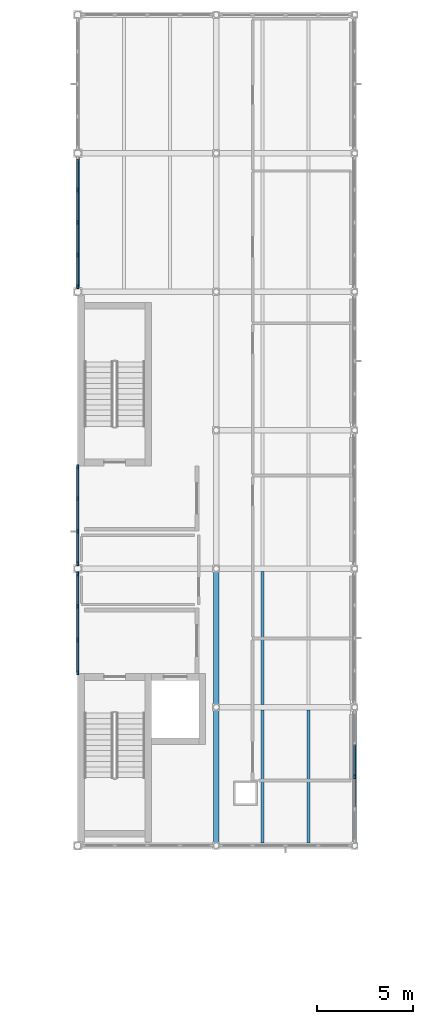
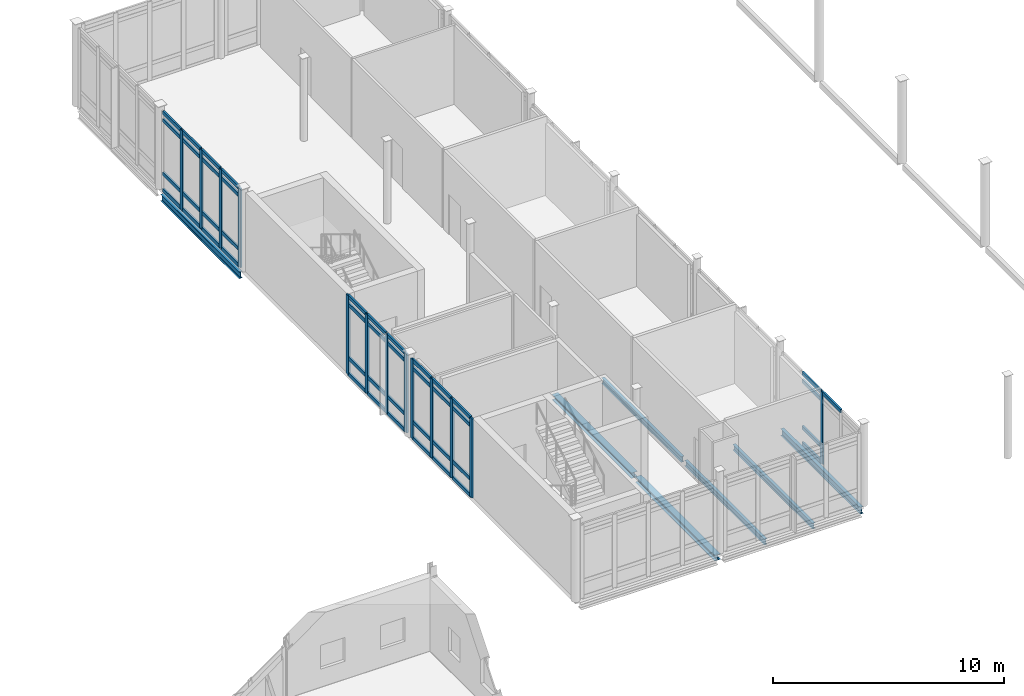
# One storey, part 23 of 76: 58 members, 7 beams, 4 elements without a shape of their own.
"""IFC4 building model written with IfcOpenShell, lengths in metres."""

from ifc_helpers import new_model, si_unit, direction, frame, origin, origin_2d, place, context, subcontext, project, spatial, rectangle, i_section, extrude, material, layer, layer_set, material_profile, profile_set, type_object, element, aggregate, save


model = new_model("IFC4")

# Units and contexts
model_context = context("Model", 3, precision=1e-05, world=origin(), true_north=direction((0.0, 1.0)))
body_context = subcontext(model_context, "Body", "Model", "MODEL_VIEW")
ifc_project = project(units=[si_unit("LENGTHUNIT", "METRE"), si_unit("AREAUNIT", "SQUARE_METRE"), si_unit("VOLUMEUNIT", "CUBIC_METRE"), si_unit("PLANEANGLEUNIT", "RADIAN"), si_unit("MASSUNIT", "GRAM", prefix="KILO")], contexts=[model_context])

# Site, building, storey
site_placement = place(None, origin())
site = spatial("IfcSite", under=ifc_project, at=site_placement, CompositionType="ELEMENT")
building_placement = place(site_placement, origin())
building = spatial("IfcBuilding", under=site, at=building_placement, Name="Zarrinpeak Specialist Clinic", CompositionType="ELEMENT")
storey_placement = place(building_placement, frame((0.0, 0.0, 5.199951171875)))
storey = spatial("IfcBuildingStorey", under=building, at=storey_placement, Name="L01", CompositionType="ELEMENT", Elevation=5.199951171875)

# Beams
ifc_material_1 = material(Name="Steel S355", Category="steel")
ifc_material_profile_1 = material_profile(ifc_material_1, i_section(OverallWidth=0.300048828125, OverallDepth=0.2900390625, WebThickness=0.008544921875, FlangeThickness=0.013916015625, FilletRadius=0.027099609375, at=origin_2d()), Name="HEA 300")
ifc_profile_set_1 = profile_set([ifc_material_profile_1], Name="Steel S355")
beam_type_1 = type_object("IfcBeamType", Name="BM-HEA300", PredefinedType="BEAM", material=ifc_profile_set_1)
for number, where, z_axis, x_axis, name in (
    (1, (100.800048828125, 28.9599609375, -0.375), (0.0, 1.0, 0.0), (-1.0, 0.0, 0.0), "L01 Primary Beam BM-L01-Y0933"),
    (2, (100.800048828125, 36.159912109375, -0.375), (0.0, 1.0, 0.0), (-1.0, 0.0, 0.0), "L01 Primary Beam BM-L01-Y0934"),
):
    element("IfcBeam", number, at=place(storey_placement, frame(where, z_axis=z_axis, x_axis=x_axis)), inside=storey, type_object=beam_type_1, Name=name, PredefinedType="BEAM", context=body_context, shape_type="SweptSolid", body=[
        extrude(i_section(OverallWidth=0.300048828125, OverallDepth=0.2900390625, WebThickness=0.008544921875, FlangeThickness=0.013916015625, FilletRadius=0.027099609375, at=origin_2d()), origin(), (0.0, 0.0, 1.0), 6.880126953125),
    ])
ifc_material_profile_2 = material_profile(ifc_material_1, i_section(OverallWidth=0.14990234375, OverallDepth=0.300048828125, WebThickness=0.007080078125, FlangeThickness=0.0107421875, FilletRadius=0.014892578125, at=origin_2d()), Name="IPE 300")
ifc_profile_set_2 = profile_set([ifc_material_profile_2], Name="Steel S355")
beam_type_2 = type_object("IfcBeamType", Name="BM-JST300", PredefinedType="JOIST", material=ifc_profile_set_2)
for number, where, z_axis, x_axis, name in (
    (3, (103.199951171875, 28.947998046875, -0.3798828125), (0.0, 1.0, 0.0), (-1.0, 0.0, 0.0), "L01 Composite Floor Joist JST-L01-1033"),
    (4, (105.60009765625, 28.947998046875, -0.3798828125), (0.0, 1.0, 0.0), (-1.0, 0.0, 0.0), "L01 Composite Floor Joist JST-L01-1034"),
    (5, (103.199951171875, 36.14794921875, -0.3798828125), (0.0, 1.0, 0.0), (-1.0, 0.0, 0.0), "L01 Composite Floor Joist JST-L01-1035"),
):
    element("IfcBeam", number, at=place(storey_placement, frame(where, z_axis=z_axis, x_axis=x_axis)), inside=storey, type_object=beam_type_2, Name=name, PredefinedType="JOIST", context=body_context, shape_type="SweptSolid", body=[
        extrude(i_section(OverallWidth=0.14990234375, OverallDepth=0.300048828125, WebThickness=0.007080078125, FlangeThickness=0.0107421875, FilletRadius=0.014892578125, at=origin_2d()), origin(), (0.0, 0.0, 1.0), 6.904052734375),
    ])
ifc_material_profile_3 = material_profile(ifc_material_1, i_section(OverallWidth=0.169921875, OverallDepth=0.360107421875, WebThickness=0.008056640625, FlangeThickness=0.0126953125, FilletRadius=0.01806640625, at=origin_2d()), Name="IPE 360")
ifc_profile_set_3 = profile_set([ifc_material_profile_3], Name="Steel S355")
beam_type_3 = type_object("IfcBeamType", Name="BM-SP360", PredefinedType="SPANDREL", material=ifc_profile_set_3)
beam_1_placement = place(storey_placement, frame((93.60009765625, 57.80126953125, -0.409912109375), z_axis=(0.0, 1.0, 0.0), x_axis=(-1.0, 0.0, 0.0)))
element("IfcBeam", 6, at=beam_1_placement, inside=storey, type_object=beam_type_3, Name="L01 Perimeter Spandrel Beam BM-L01-Y0931", PredefinedType="SPANDREL", context=body_context, shape_type="SweptSolid", body=[
    extrude(i_section(OverallWidth=0.169921875, OverallDepth=0.360107421875, WebThickness=0.008056640625, FlangeThickness=0.0126953125, FilletRadius=0.01806640625, at=origin_2d()), origin(), (0.0, 0.0, 1.0), 6.797607421875),
])
beam_2_placement = place(storey_placement, frame((108.0, 28.9599609375, -0.409912109375), z_axis=(0.0, 1.0, 0.0), x_axis=(-1.0, 0.0, 0.0)))
element("IfcBeam", 7, at=beam_2_placement, inside=storey, type_object=beam_type_3, Name="L01 Perimeter Spandrel Beam BM-L01-Y0939", PredefinedType="SPANDREL", context=body_context, shape_type="SweptSolid", body=[
    extrude(i_section(OverallWidth=0.169921875, OverallDepth=0.360107421875, WebThickness=0.008056640625, FlangeThickness=0.0126953125, FilletRadius=0.01806640625, at=origin_2d()), origin(), (0.0, 0.0, 1.0), 6.880126953125),
])

# Curtain wall, members
ifc_material_2 = material(Name="Anodised Aluminium Alloy 6063-T6", Category="aluminium")
ifc_layer = layer(ifc_material_2, 0.199951171875)
ifc_layer_set = layer_set([ifc_layer], Name="Anodised Aluminium Alloy 6063-T6")
curtain_wall_type = type_object("IfcCurtainWallType", Name="CW-HALL", PredefinedType="NOTDEFINED", material=ifc_layer_set)
curtain_wall_1_placement = place(storey_placement, origin())
curtain_wall_1 = element("IfcCurtainWall", 8, at=curtain_wall_1_placement, inside=storey, type_object=curtain_wall_type, Name="L01 V3 Unitised Curtain Wall CW-L01-V3-101", PredefinedType="NOTDEFINED")
ifc_material_profile_4 = material_profile(ifc_material_2, rectangle(XDim=0.090087890625, YDim=0.219970703125, at=origin_2d()), Name="ALU 90x220")
ifc_profile_set_4 = profile_set([ifc_material_profile_4], Name="Anodised Aluminium Alloy 6063-T6")
member_type_1 = type_object("IfcMemberType", Name="CWM-90", PredefinedType="MULLION", material=ifc_profile_set_4)
member_1_placement = place(storey_placement, frame((93.60009765625, 42.9267578125, 0.0), z_axis=(0.0, 0.0, 1.0), x_axis=(1.0, 0.0, 0.0)))
member_1 = element("IfcMember", 9, at=member_1_placement, type_object=member_type_1, Name="CW-02 mullion 1", PredefinedType="MULLION", context=body_context, shape_type="SweptSolid", body=[
    extrude(rectangle(XDim=0.090087890625, YDim=0.219970703125, at=origin_2d()), origin(), (0.0, 0.0, 1.0), 4.18505859375),
])
member_2_placement = place(storey_placement, frame((93.60009765625, 41.231201171875, 0.0), z_axis=(0.0, 0.0, 1.0), x_axis=(1.0, 0.0, 0.0)))
member_2 = element("IfcMember", 10, at=member_2_placement, type_object=member_type_1, Name="CW-02 mullion 2", PredefinedType="MULLION", context=body_context, shape_type="SweptSolid", body=[
    extrude(rectangle(XDim=0.090087890625, YDim=0.219970703125, at=origin_2d()), origin(), (0.0, 0.0, 1.0), 4.18505859375),
])
member_3_placement = place(storey_placement, frame((93.60009765625, 39.490478515625, 0.0), z_axis=(0.0, 0.0, 1.0), x_axis=(1.0, 0.0, 0.0)))
member_3 = element("IfcMember", 11, at=member_3_placement, type_object=member_type_1, Name="CW-02 mullion 3", PredefinedType="MULLION", context=body_context, shape_type="SweptSolid", body=[
    extrude(rectangle(XDim=0.090087890625, YDim=0.219970703125, at=origin_2d()), origin(), (0.0, 0.0, 1.0), 4.18505859375),
])
member_4_placement = place(storey_placement, frame((93.60009765625, 37.794921875, 0.0), z_axis=(0.0, 0.0, 1.0), x_axis=(1.0, 0.0, 0.0)))
member_4 = element("IfcMember", 12, at=member_4_placement, type_object=member_type_1, Name="CW-02 mullion 4", PredefinedType="MULLION", context=body_context, shape_type="SweptSolid", body=[
    extrude(rectangle(XDim=0.090087890625, YDim=0.219970703125, at=origin_2d()), origin(), (0.0, 0.0, 1.0), 4.18505859375),
])

curtain_wall_2_placement = place(storey_placement, origin())
curtain_wall_2 = element("IfcCurtainWall", 13, at=curtain_wall_2_placement, inside=storey, type_object=curtain_wall_type, Name="L01 V3 Unitised Curtain Wall CW-L01-V3-102", PredefinedType="NOTDEFINED")
member_5_placement = place(storey_placement, frame((93.60009765625, 48.5048828125, 0.0), z_axis=(0.0, 0.0, 1.0), x_axis=(1.0, 0.0, 0.0)))
member_5 = element("IfcMember", 14, at=member_5_placement, type_object=member_type_1, Name="CW-02 mullion 1", PredefinedType="MULLION", context=body_context, shape_type="SweptSolid", body=[
    extrude(rectangle(XDim=0.090087890625, YDim=0.219970703125, at=origin_2d()), origin(), (0.0, 0.0, 1.0), 4.18505859375),
])
member_6_placement = place(storey_placement, frame((93.60009765625, 46.8427734375, 0.0), z_axis=(0.0, 0.0, 1.0), x_axis=(1.0, 0.0, 0.0)))
member_6 = element("IfcMember", 15, at=member_6_placement, type_object=member_type_1, Name="CW-02 mullion 2", PredefinedType="MULLION", context=body_context, shape_type="SweptSolid", body=[
    extrude(rectangle(XDim=0.090087890625, YDim=0.219970703125, at=origin_2d()), origin(), (0.0, 0.0, 1.0), 4.18505859375),
])
member_7_placement = place(storey_placement, frame((93.60009765625, 45.135498046875, 0.0), z_axis=(0.0, 0.0, 1.0), x_axis=(1.0, 0.0, 0.0)))
member_7 = element("IfcMember", 16, at=member_7_placement, type_object=member_type_1, Name="CW-02 mullion 3", PredefinedType="MULLION", context=body_context, shape_type="SweptSolid", body=[
    extrude(rectangle(XDim=0.090087890625, YDim=0.219970703125, at=origin_2d()), origin(), (0.0, 0.0, 1.0), 4.18505859375),
])
member_8_placement = place(storey_placement, frame((93.60009765625, 43.47314453125, 0.0), z_axis=(0.0, 0.0, 1.0), x_axis=(1.0, 0.0, 0.0)))
member_8 = element("IfcMember", 17, at=member_8_placement, type_object=member_type_1, Name="CW-02 mullion 4", PredefinedType="MULLION", context=body_context, shape_type="SweptSolid", body=[
    extrude(rectangle(XDim=0.090087890625, YDim=0.219970703125, at=origin_2d()), origin(), (0.0, 0.0, 1.0), 4.18505859375),
])

curtain_wall_3_placement = place(storey_placement, origin())
curtain_wall_3 = element("IfcCurtainWall", 18, at=curtain_wall_3_placement, inside=storey, type_object=curtain_wall_type, Name="L01 V3 Unitised Curtain Wall CW-L01-V3-103", PredefinedType="NOTDEFINED")
member_9_placement = place(storey_placement, frame((93.60009765625, 62.885986328125, 0.0), z_axis=(0.0, 0.0, 1.0), x_axis=(1.0, 0.0, 0.0)))
member_9 = element("IfcMember", 19, at=member_9_placement, type_object=member_type_1, Name="CW-02 mullion 2", PredefinedType="MULLION", context=body_context, shape_type="SweptSolid", body=[
    extrude(rectangle(XDim=0.090087890625, YDim=0.219970703125, at=origin_2d()), origin(), (0.0, 0.0, 1.0), 4.18505859375),
])
member_10_placement = place(storey_placement, frame((93.60009765625, 61.199951171875, 0.0), z_axis=(0.0, 0.0, 1.0), x_axis=(1.0, 0.0, 0.0)))
member_10 = element("IfcMember", 20, at=member_10_placement, type_object=member_type_1, Name="CW-02 mullion 3", PredefinedType="MULLION", context=body_context, shape_type="SweptSolid", body=[
    extrude(rectangle(XDim=0.090087890625, YDim=0.219970703125, at=origin_2d()), origin(), (0.0, 0.0, 1.0), 4.18505859375),
])
member_11_placement = place(storey_placement, frame((93.60009765625, 59.51416015625, 0.0), z_axis=(0.0, 0.0, 1.0), x_axis=(1.0, 0.0, 0.0)))
member_11 = element("IfcMember", 21, at=member_11_placement, type_object=member_type_1, Name="CW-02 mullion 4", PredefinedType="MULLION", context=body_context, shape_type="SweptSolid", body=[
    extrude(rectangle(XDim=0.090087890625, YDim=0.219970703125, at=origin_2d()), origin(), (0.0, 0.0, 1.0), 4.18505859375),
])
member_12_placement = place(storey_placement, frame((93.60009765625, 57.873291015625, 0.0), z_axis=(0.0, 0.0, 1.0), x_axis=(1.0, 0.0, 0.0)))
member_12 = element("IfcMember", 22, at=member_12_placement, type_object=member_type_1, Name="CW-02 mullion 5", PredefinedType="MULLION", context=body_context, shape_type="SweptSolid", body=[
    extrude(rectangle(XDim=0.090087890625, YDim=0.219970703125, at=origin_2d()), origin(), (0.0, 0.0, 1.0), 4.18505859375),
])

# Curtain wall, member
curtain_wall_4_placement = place(storey_placement, origin())
curtain_wall_4 = element("IfcCurtainWall", 23, at=curtain_wall_4_placement, inside=storey, type_object=curtain_wall_type, Name="L01 V3 Unitised Curtain Wall CW-L01-V3-105", PredefinedType="NOTDEFINED")
member_13_placement = place(storey_placement, frame((108.0, 32.39990234375, 0.0), z_axis=(0.0, 0.0, 1.0), x_axis=(-1.0, 0.0, 0.0)))
member_13 = element("IfcMember", 24, at=member_13_placement, type_object=member_type_1, Name="CW-02 mullion 3", PredefinedType="MULLION", context=body_context, shape_type="SweptSolid", body=[
    extrude(rectangle(XDim=0.090087890625, YDim=0.219970703125, at=origin_2d()), origin(), (0.0, 0.0, 1.0), 3.81005859375),
])

# Member
ifc_material_profile_5 = material_profile(ifc_material_2, rectangle(XDim=0.090087890625, YDim=0.18994140625, at=origin_2d()), Name="ALU 90x190")
ifc_profile_set_5 = profile_set([ifc_material_profile_5], Name="Anodised Aluminium Alloy 6063-T6")
member_type_2 = type_object("IfcMemberType", Name="CWT-90", PredefinedType="USERDEFINED", material=ifc_profile_set_5)
member_14_placement = place(storey_placement, frame((93.60009765625, 42.8818359375, 0.045166015625), z_axis=(0.0, -1.0, 0.0), x_axis=(1.0, 0.0, 0.0)))
member_14 = element("IfcMember", 25, at=member_14_placement, type_object=member_type_2, Name="CW-02 transom 1.1", ObjectType="TRANSOM", PredefinedType="USERDEFINED", context=body_context, shape_type="SweptSolid", body=[
    extrude(rectangle(XDim=0.090087890625, YDim=0.18994140625, at=origin_2d()), origin(), (0.0, 0.0, 1.0), 1.605712890625),
])

member_15_placement = place(storey_placement, frame((93.60009765625, 42.8818359375, 0.900146484375), z_axis=(0.0, -1.0, 0.0), x_axis=(1.0, 0.0, 0.0)))
member_15 = element("IfcMember", 26, at=member_15_placement, type_object=member_type_2, Name="CW-02 transom 1.2", ObjectType="TRANSOM", PredefinedType="USERDEFINED", context=body_context, shape_type="SweptSolid", body=[
    extrude(rectangle(XDim=0.090087890625, YDim=0.18994140625, at=origin_2d()), origin(), (0.0, 0.0, 1.0), 1.605712890625),
])

member_16_placement = place(storey_placement, frame((93.60009765625, 42.8818359375, 3.735107421875), z_axis=(0.0, -1.0, 0.0), x_axis=(1.0, 0.0, 0.0)))
member_16 = element("IfcMember", 27, at=member_16_placement, type_object=member_type_2, Name="CW-02 transom 1.3", ObjectType="TRANSOM", PredefinedType="USERDEFINED", context=body_context, shape_type="SweptSolid", body=[
    extrude(rectangle(XDim=0.090087890625, YDim=0.18994140625, at=origin_2d()), origin(), (0.0, 0.0, 1.0), 1.605712890625),
])

member_17_placement = place(storey_placement, frame((93.60009765625, 42.8818359375, 4.14013671875), z_axis=(0.0, -1.0, 0.0), x_axis=(1.0, 0.0, 0.0)))
member_17 = element("IfcMember", 28, at=member_17_placement, type_object=member_type_2, Name="CW-02 transom 1.4", ObjectType="TRANSOM", PredefinedType="USERDEFINED", context=body_context, shape_type="SweptSolid", body=[
    extrude(rectangle(XDim=0.090087890625, YDim=0.18994140625, at=origin_2d()), origin(), (0.0, 0.0, 1.0), 1.605712890625),
])

member_18_placement = place(storey_placement, frame((93.60009765625, 41.186279296875, 0.045166015625), z_axis=(0.0, -1.0, 0.0), x_axis=(1.0, 0.0, 0.0)))
member_18 = element("IfcMember", 29, at=member_18_placement, type_object=member_type_2, Name="CW-02 transom 2.1", ObjectType="TRANSOM", PredefinedType="USERDEFINED", context=body_context, shape_type="SweptSolid", body=[
    extrude(rectangle(XDim=0.090087890625, YDim=0.18994140625, at=origin_2d()), origin(), (0.0, 0.0, 1.0), 1.650634765625),
])

member_19_placement = place(storey_placement, frame((93.60009765625, 41.186279296875, 0.900146484375), z_axis=(0.0, -1.0, 0.0), x_axis=(1.0, 0.0, 0.0)))
member_19 = element("IfcMember", 30, at=member_19_placement, type_object=member_type_2, Name="CW-02 transom 2.2", ObjectType="TRANSOM", PredefinedType="USERDEFINED", context=body_context, shape_type="SweptSolid", body=[
    extrude(rectangle(XDim=0.090087890625, YDim=0.18994140625, at=origin_2d()), origin(), (0.0, 0.0, 1.0), 1.650634765625),
])

member_20_placement = place(storey_placement, frame((93.60009765625, 41.186279296875, 3.735107421875), z_axis=(0.0, -1.0, 0.0), x_axis=(1.0, 0.0, 0.0)))
member_20 = element("IfcMember", 31, at=member_20_placement, type_object=member_type_2, Name="CW-02 transom 2.3", ObjectType="TRANSOM", PredefinedType="USERDEFINED", context=body_context, shape_type="SweptSolid", body=[
    extrude(rectangle(XDim=0.090087890625, YDim=0.18994140625, at=origin_2d()), origin(), (0.0, 0.0, 1.0), 1.650634765625),
])

member_21_placement = place(storey_placement, frame((93.60009765625, 41.186279296875, 4.14013671875), z_axis=(0.0, -1.0, 0.0), x_axis=(1.0, 0.0, 0.0)))
member_21 = element("IfcMember", 32, at=member_21_placement, type_object=member_type_2, Name="CW-02 transom 2.4", ObjectType="TRANSOM", PredefinedType="USERDEFINED", context=body_context, shape_type="SweptSolid", body=[
    extrude(rectangle(XDim=0.090087890625, YDim=0.18994140625, at=origin_2d()), origin(), (0.0, 0.0, 1.0), 1.650634765625),
])

member_22_placement = place(storey_placement, frame((93.60009765625, 39.445556640625, 0.045166015625), z_axis=(0.0, -1.0, 0.0), x_axis=(1.0, 0.0, 0.0)))
member_22 = element("IfcMember", 33, at=member_22_placement, type_object=member_type_2, Name="CW-02 transom 3.1", ObjectType="TRANSOM", PredefinedType="USERDEFINED", context=body_context, shape_type="SweptSolid", body=[
    extrude(rectangle(XDim=0.090087890625, YDim=0.18994140625, at=origin_2d()), origin(), (0.0, 0.0, 1.0), 1.60546875),
])

member_23_placement = place(storey_placement, frame((93.60009765625, 39.445556640625, 0.900146484375), z_axis=(0.0, -1.0, 0.0), x_axis=(1.0, 0.0, 0.0)))
member_23 = element("IfcMember", 34, at=member_23_placement, type_object=member_type_2, Name="CW-02 transom 3.2", ObjectType="TRANSOM", PredefinedType="USERDEFINED", context=body_context, shape_type="SweptSolid", body=[
    extrude(rectangle(XDim=0.090087890625, YDim=0.18994140625, at=origin_2d()), origin(), (0.0, 0.0, 1.0), 1.60546875),
])

member_24_placement = place(storey_placement, frame((93.60009765625, 39.445556640625, 3.735107421875), z_axis=(0.0, -1.0, 0.0), x_axis=(1.0, 0.0, 0.0)))
member_24 = element("IfcMember", 35, at=member_24_placement, type_object=member_type_2, Name="CW-02 transom 3.3", ObjectType="TRANSOM", PredefinedType="USERDEFINED", context=body_context, shape_type="SweptSolid", body=[
    extrude(rectangle(XDim=0.090087890625, YDim=0.18994140625, at=origin_2d()), origin(), (0.0, 0.0, 1.0), 1.60546875),
])

member_25_placement = place(storey_placement, frame((93.60009765625, 39.445556640625, 4.14013671875), z_axis=(0.0, -1.0, 0.0), x_axis=(1.0, 0.0, 0.0)))
member_25 = element("IfcMember", 36, at=member_25_placement, type_object=member_type_2, Name="CW-02 transom 3.4", ObjectType="TRANSOM", PredefinedType="USERDEFINED", context=body_context, shape_type="SweptSolid", body=[
    extrude(rectangle(XDim=0.090087890625, YDim=0.18994140625, at=origin_2d()), origin(), (0.0, 0.0, 1.0), 1.60546875),
])

aggregate(curtain_wall_1, [member_1, member_2, member_3, member_4, member_14, member_15, member_16, member_17, member_18, member_19, member_20, member_21, member_22, member_23, member_24, member_25])

member_26_placement = place(storey_placement, frame((93.60009765625, 48.4599609375, 0.045166015625), z_axis=(0.0, -1.0, 0.0), x_axis=(1.0, 0.0, 0.0)))
member_26 = element("IfcMember", 37, at=member_26_placement, type_object=member_type_2, Name="CW-02 transom 1.1", ObjectType="TRANSOM", PredefinedType="USERDEFINED", context=body_context, shape_type="SweptSolid", body=[
    extrude(rectangle(XDim=0.090087890625, YDim=0.18994140625, at=origin_2d()), origin(), (0.0, 0.0, 1.0), 1.572265625),
])

member_27_placement = place(storey_placement, frame((93.60009765625, 48.4599609375, 0.900146484375), z_axis=(0.0, -1.0, 0.0), x_axis=(1.0, 0.0, 0.0)))
member_27 = element("IfcMember", 38, at=member_27_placement, type_object=member_type_2, Name="CW-02 transom 1.2", ObjectType="TRANSOM", PredefinedType="USERDEFINED", context=body_context, shape_type="SweptSolid", body=[
    extrude(rectangle(XDim=0.090087890625, YDim=0.18994140625, at=origin_2d()), origin(), (0.0, 0.0, 1.0), 1.572265625),
])

member_28_placement = place(storey_placement, frame((93.60009765625, 48.4599609375, 3.735107421875), z_axis=(0.0, -1.0, 0.0), x_axis=(1.0, 0.0, 0.0)))
member_28 = element("IfcMember", 39, at=member_28_placement, type_object=member_type_2, Name="CW-02 transom 1.3", ObjectType="TRANSOM", PredefinedType="USERDEFINED", context=body_context, shape_type="SweptSolid", body=[
    extrude(rectangle(XDim=0.090087890625, YDim=0.18994140625, at=origin_2d()), origin(), (0.0, 0.0, 1.0), 1.572265625),
])

member_29_placement = place(storey_placement, frame((93.60009765625, 48.4599609375, 4.14013671875), z_axis=(0.0, -1.0, 0.0), x_axis=(1.0, 0.0, 0.0)))
member_29 = element("IfcMember", 40, at=member_29_placement, type_object=member_type_2, Name="CW-02 transom 1.4", ObjectType="TRANSOM", PredefinedType="USERDEFINED", context=body_context, shape_type="SweptSolid", body=[
    extrude(rectangle(XDim=0.090087890625, YDim=0.18994140625, at=origin_2d()), origin(), (0.0, 0.0, 1.0), 1.572265625),
])

member_30_placement = place(storey_placement, frame((93.60009765625, 46.7978515625, 0.045166015625), z_axis=(0.0, -1.0, 0.0), x_axis=(1.0, 0.0, 0.0)))
member_30 = element("IfcMember", 41, at=member_30_placement, type_object=member_type_2, Name="CW-02 transom 2.1", ObjectType="TRANSOM", PredefinedType="USERDEFINED", context=body_context, shape_type="SweptSolid", body=[
    extrude(rectangle(XDim=0.090087890625, YDim=0.18994140625, at=origin_2d()), origin(), (0.0, 0.0, 1.0), 1.617431640625),
])

member_31_placement = place(storey_placement, frame((93.60009765625, 46.7978515625, 0.900146484375), z_axis=(0.0, -1.0, 0.0), x_axis=(1.0, 0.0, 0.0)))
member_31 = element("IfcMember", 42, at=member_31_placement, type_object=member_type_2, Name="CW-02 transom 2.2", ObjectType="TRANSOM", PredefinedType="USERDEFINED", context=body_context, shape_type="SweptSolid", body=[
    extrude(rectangle(XDim=0.090087890625, YDim=0.18994140625, at=origin_2d()), origin(), (0.0, 0.0, 1.0), 1.617431640625),
])

member_32_placement = place(storey_placement, frame((93.60009765625, 46.7978515625, 3.735107421875), z_axis=(0.0, -1.0, 0.0), x_axis=(1.0, 0.0, 0.0)))
member_32 = element("IfcMember", 43, at=member_32_placement, type_object=member_type_2, Name="CW-02 transom 2.3", ObjectType="TRANSOM", PredefinedType="USERDEFINED", context=body_context, shape_type="SweptSolid", body=[
    extrude(rectangle(XDim=0.090087890625, YDim=0.18994140625, at=origin_2d()), origin(), (0.0, 0.0, 1.0), 1.617431640625),
])

member_33_placement = place(storey_placement, frame((93.60009765625, 46.7978515625, 4.14013671875), z_axis=(0.0, -1.0, 0.0), x_axis=(1.0, 0.0, 0.0)))
member_33 = element("IfcMember", 44, at=member_33_placement, type_object=member_type_2, Name="CW-02 transom 2.4", ObjectType="TRANSOM", PredefinedType="USERDEFINED", context=body_context, shape_type="SweptSolid", body=[
    extrude(rectangle(XDim=0.090087890625, YDim=0.18994140625, at=origin_2d()), origin(), (0.0, 0.0, 1.0), 1.617431640625),
])

member_34_placement = place(storey_placement, frame((93.60009765625, 45.090576171875, 0.045166015625), z_axis=(0.0, -1.0, 0.0), x_axis=(1.0, 0.0, 0.0)))
member_34 = element("IfcMember", 45, at=member_34_placement, type_object=member_type_2, Name="CW-02 transom 3.1", ObjectType="TRANSOM", PredefinedType="USERDEFINED", context=body_context, shape_type="SweptSolid", body=[
    extrude(rectangle(XDim=0.090087890625, YDim=0.18994140625, at=origin_2d()), origin(), (0.0, 0.0, 1.0), 1.572265625),
])

member_35_placement = place(storey_placement, frame((93.60009765625, 45.090576171875, 0.900146484375), z_axis=(0.0, -1.0, 0.0), x_axis=(1.0, 0.0, 0.0)))
member_35 = element("IfcMember", 46, at=member_35_placement, type_object=member_type_2, Name="CW-02 transom 3.2", ObjectType="TRANSOM", PredefinedType="USERDEFINED", context=body_context, shape_type="SweptSolid", body=[
    extrude(rectangle(XDim=0.090087890625, YDim=0.18994140625, at=origin_2d()), origin(), (0.0, 0.0, 1.0), 1.572265625),
])

member_36_placement = place(storey_placement, frame((93.60009765625, 45.090576171875, 3.735107421875), z_axis=(0.0, -1.0, 0.0), x_axis=(1.0, 0.0, 0.0)))
member_36 = element("IfcMember", 47, at=member_36_placement, type_object=member_type_2, Name="CW-02 transom 3.3", ObjectType="TRANSOM", PredefinedType="USERDEFINED", context=body_context, shape_type="SweptSolid", body=[
    extrude(rectangle(XDim=0.090087890625, YDim=0.18994140625, at=origin_2d()), origin(), (0.0, 0.0, 1.0), 1.572265625),
])

member_37_placement = place(storey_placement, frame((93.60009765625, 45.090576171875, 4.14013671875), z_axis=(0.0, -1.0, 0.0), x_axis=(1.0, 0.0, 0.0)))
member_37 = element("IfcMember", 48, at=member_37_placement, type_object=member_type_2, Name="CW-02 transom 3.4", ObjectType="TRANSOM", PredefinedType="USERDEFINED", context=body_context, shape_type="SweptSolid", body=[
    extrude(rectangle(XDim=0.090087890625, YDim=0.18994140625, at=origin_2d()), origin(), (0.0, 0.0, 1.0), 1.572265625),
])

aggregate(curtain_wall_2, [member_5, member_6, member_7, member_8, member_26, member_27, member_28, member_29, member_30, member_31, member_32, member_33, member_34, member_35, member_36, member_37])

member_38_placement = place(storey_placement, frame((93.60009765625, 64.481689453125, 0.045166015625), z_axis=(0.0, -1.0, 0.0), x_axis=(1.0, 0.0, 0.0)))
member_38 = element("IfcMember", 49, at=member_38_placement, type_object=member_type_2, Name="CW-02 transom 1.1", ObjectType="TRANSOM", PredefinedType="USERDEFINED", context=body_context, shape_type="SweptSolid", body=[
    extrude(rectangle(XDim=0.090087890625, YDim=0.18994140625, at=origin_2d()), origin(), (0.0, 0.0, 1.0), 1.55078125),
])

member_39_placement = place(storey_placement, frame((93.60009765625, 64.481689453125, 0.900146484375), z_axis=(0.0, -1.0, 0.0), x_axis=(1.0, 0.0, 0.0)))
member_39 = element("IfcMember", 50, at=member_39_placement, type_object=member_type_2, Name="CW-02 transom 1.2", ObjectType="TRANSOM", PredefinedType="USERDEFINED", context=body_context, shape_type="SweptSolid", body=[
    extrude(rectangle(XDim=0.090087890625, YDim=0.18994140625, at=origin_2d()), origin(), (0.0, 0.0, 1.0), 1.55078125),
])

member_40_placement = place(storey_placement, frame((93.60009765625, 64.481689453125, 3.735107421875), z_axis=(0.0, -1.0, 0.0), x_axis=(1.0, 0.0, 0.0)))
member_40 = element("IfcMember", 51, at=member_40_placement, type_object=member_type_2, Name="CW-02 transom 1.3", ObjectType="TRANSOM", PredefinedType="USERDEFINED", context=body_context, shape_type="SweptSolid", body=[
    extrude(rectangle(XDim=0.090087890625, YDim=0.18994140625, at=origin_2d()), origin(), (0.0, 0.0, 1.0), 1.55078125),
])

member_41_placement = place(storey_placement, frame((93.60009765625, 64.481689453125, 4.14013671875), z_axis=(0.0, -1.0, 0.0), x_axis=(1.0, 0.0, 0.0)))
member_41 = element("IfcMember", 52, at=member_41_placement, type_object=member_type_2, Name="CW-02 transom 1.4", ObjectType="TRANSOM", PredefinedType="USERDEFINED", context=body_context, shape_type="SweptSolid", body=[
    extrude(rectangle(XDim=0.090087890625, YDim=0.18994140625, at=origin_2d()), origin(), (0.0, 0.0, 1.0), 1.55078125),
])

member_42_placement = place(storey_placement, frame((93.60009765625, 62.8408203125, 0.045166015625), z_axis=(0.0, -1.0, 0.0), x_axis=(1.0, 0.0, 0.0)))
member_42 = element("IfcMember", 53, at=member_42_placement, type_object=member_type_2, Name="CW-02 transom 2.1", ObjectType="TRANSOM", PredefinedType="USERDEFINED", context=body_context, shape_type="SweptSolid", body=[
    extrude(rectangle(XDim=0.090087890625, YDim=0.18994140625, at=origin_2d()), origin(), (0.0, 0.0, 1.0), 1.595703125),
])

member_43_placement = place(storey_placement, frame((93.60009765625, 62.8408203125, 0.900146484375), z_axis=(0.0, -1.0, 0.0), x_axis=(1.0, 0.0, 0.0)))
member_43 = element("IfcMember", 54, at=member_43_placement, type_object=member_type_2, Name="CW-02 transom 2.2", ObjectType="TRANSOM", PredefinedType="USERDEFINED", context=body_context, shape_type="SweptSolid", body=[
    extrude(rectangle(XDim=0.090087890625, YDim=0.18994140625, at=origin_2d()), origin(), (0.0, 0.0, 1.0), 1.595703125),
])

member_44_placement = place(storey_placement, frame((93.60009765625, 62.8408203125, 3.735107421875), z_axis=(0.0, -1.0, 0.0), x_axis=(1.0, 0.0, 0.0)))
member_44 = element("IfcMember", 55, at=member_44_placement, type_object=member_type_2, Name="CW-02 transom 2.3", ObjectType="TRANSOM", PredefinedType="USERDEFINED", context=body_context, shape_type="SweptSolid", body=[
    extrude(rectangle(XDim=0.090087890625, YDim=0.18994140625, at=origin_2d()), origin(), (0.0, 0.0, 1.0), 1.595703125),
])

member_45_placement = place(storey_placement, frame((93.60009765625, 62.8408203125, 4.14013671875), z_axis=(0.0, -1.0, 0.0), x_axis=(1.0, 0.0, 0.0)))
member_45 = element("IfcMember", 56, at=member_45_placement, type_object=member_type_2, Name="CW-02 transom 2.4", ObjectType="TRANSOM", PredefinedType="USERDEFINED", context=body_context, shape_type="SweptSolid", body=[
    extrude(rectangle(XDim=0.090087890625, YDim=0.18994140625, at=origin_2d()), origin(), (0.0, 0.0, 1.0), 1.595703125),
])

member_46_placement = place(storey_placement, frame((93.60009765625, 61.155029296875, 0.045166015625), z_axis=(0.0, -1.0, 0.0), x_axis=(1.0, 0.0, 0.0)))
member_46 = element("IfcMember", 57, at=member_46_placement, type_object=member_type_2, Name="CW-02 transom 3.1", ObjectType="TRANSOM", PredefinedType="USERDEFINED", context=body_context, shape_type="SweptSolid", body=[
    extrude(rectangle(XDim=0.090087890625, YDim=0.18994140625, at=origin_2d()), origin(), (0.0, 0.0, 1.0), 1.595947265625),
])

member_47_placement = place(storey_placement, frame((93.60009765625, 61.155029296875, 0.900146484375), z_axis=(0.0, -1.0, 0.0), x_axis=(1.0, 0.0, 0.0)))
member_47 = element("IfcMember", 58, at=member_47_placement, type_object=member_type_2, Name="CW-02 transom 3.2", ObjectType="TRANSOM", PredefinedType="USERDEFINED", context=body_context, shape_type="SweptSolid", body=[
    extrude(rectangle(XDim=0.090087890625, YDim=0.18994140625, at=origin_2d()), origin(), (0.0, 0.0, 1.0), 1.595947265625),
])

member_48_placement = place(storey_placement, frame((93.60009765625, 61.155029296875, 3.735107421875), z_axis=(0.0, -1.0, 0.0), x_axis=(1.0, 0.0, 0.0)))
member_48 = element("IfcMember", 59, at=member_48_placement, type_object=member_type_2, Name="CW-02 transom 3.3", ObjectType="TRANSOM", PredefinedType="USERDEFINED", context=body_context, shape_type="SweptSolid", body=[
    extrude(rectangle(XDim=0.090087890625, YDim=0.18994140625, at=origin_2d()), origin(), (0.0, 0.0, 1.0), 1.595947265625),
])

member_49_placement = place(storey_placement, frame((93.60009765625, 61.155029296875, 4.14013671875), z_axis=(0.0, -1.0, 0.0), x_axis=(1.0, 0.0, 0.0)))
member_49 = element("IfcMember", 60, at=member_49_placement, type_object=member_type_2, Name="CW-02 transom 3.4", ObjectType="TRANSOM", PredefinedType="USERDEFINED", context=body_context, shape_type="SweptSolid", body=[
    extrude(rectangle(XDim=0.090087890625, YDim=0.18994140625, at=origin_2d()), origin(), (0.0, 0.0, 1.0), 1.595947265625),
])

member_50_placement = place(storey_placement, frame((93.60009765625, 59.468994140625, 0.045166015625), z_axis=(0.0, -1.0, 0.0), x_axis=(1.0, 0.0, 0.0)))
member_50 = element("IfcMember", 61, at=member_50_placement, type_object=member_type_2, Name="CW-02 transom 4.1", ObjectType="TRANSOM", PredefinedType="USERDEFINED", context=body_context, shape_type="SweptSolid", body=[
    extrude(rectangle(XDim=0.090087890625, YDim=0.18994140625, at=origin_2d()), origin(), (0.0, 0.0, 1.0), 1.55078125),
])

member_51_placement = place(storey_placement, frame((93.60009765625, 59.468994140625, 0.900146484375), z_axis=(0.0, -1.0, 0.0), x_axis=(1.0, 0.0, 0.0)))
member_51 = element("IfcMember", 62, at=member_51_placement, type_object=member_type_2, Name="CW-02 transom 4.2", ObjectType="TRANSOM", PredefinedType="USERDEFINED", context=body_context, shape_type="SweptSolid", body=[
    extrude(rectangle(XDim=0.090087890625, YDim=0.18994140625, at=origin_2d()), origin(), (0.0, 0.0, 1.0), 1.55078125),
])

member_52_placement = place(storey_placement, frame((93.60009765625, 59.468994140625, 3.735107421875), z_axis=(0.0, -1.0, 0.0), x_axis=(1.0, 0.0, 0.0)))
member_52 = element("IfcMember", 63, at=member_52_placement, type_object=member_type_2, Name="CW-02 transom 4.3", ObjectType="TRANSOM", PredefinedType="USERDEFINED", context=body_context, shape_type="SweptSolid", body=[
    extrude(rectangle(XDim=0.090087890625, YDim=0.18994140625, at=origin_2d()), origin(), (0.0, 0.0, 1.0), 1.55078125),
])

member_53_placement = place(storey_placement, frame((93.60009765625, 59.468994140625, 4.14013671875), z_axis=(0.0, -1.0, 0.0), x_axis=(1.0, 0.0, 0.0)))
member_53 = element("IfcMember", 64, at=member_53_placement, type_object=member_type_2, Name="CW-02 transom 4.4", ObjectType="TRANSOM", PredefinedType="USERDEFINED", context=body_context, shape_type="SweptSolid", body=[
    extrude(rectangle(XDim=0.090087890625, YDim=0.18994140625, at=origin_2d()), origin(), (0.0, 0.0, 1.0), 1.55078125),
])

aggregate(curtain_wall_3, [member_9, member_10, member_11, member_12, member_38, member_39, member_40, member_41, member_42, member_43, member_44, member_45, member_46, member_47, member_48, member_49, member_50, member_51, member_52, member_53])

member_54_placement = place(storey_placement, frame((108.0, 30.738525390625, 3.76513671875), z_axis=(0.0, 1.0, 0.0), x_axis=(-1.0, 0.0, 0.0)))
member_54 = element("IfcMember", 65, at=member_54_placement, type_object=member_type_2, Name="CW-02 transom 2.4", ObjectType="TRANSOM", PredefinedType="USERDEFINED", context=body_context, shape_type="SweptSolid", body=[
    extrude(rectangle(XDim=0.090087890625, YDim=0.18994140625, at=origin_2d()), origin(), (0.0, 0.0, 1.0), 1.616455078125),
])

member_55_placement = place(storey_placement, frame((108.0, 32.445068359375, 0.045166015625), z_axis=(0.0, 1.0, 0.0), x_axis=(-1.0, 0.0, 0.0)))
member_55 = element("IfcMember", 66, at=member_55_placement, type_object=member_type_2, Name="CW-02 transom 3.1", ObjectType="TRANSOM", PredefinedType="USERDEFINED", context=body_context, shape_type="SweptSolid", body=[
    extrude(rectangle(XDim=0.090087890625, YDim=0.18994140625, at=origin_2d()), origin(), (0.0, 0.0, 1.0), 1.616455078125),
])

member_56_placement = place(storey_placement, frame((108.0, 32.445068359375, 0.900146484375), z_axis=(0.0, 1.0, 0.0), x_axis=(-1.0, 0.0, 0.0)))
member_56 = element("IfcMember", 67, at=member_56_placement, type_object=member_type_2, Name="CW-02 transom 3.2", ObjectType="TRANSOM", PredefinedType="USERDEFINED", context=body_context, shape_type="SweptSolid", body=[
    extrude(rectangle(XDim=0.090087890625, YDim=0.18994140625, at=origin_2d()), origin(), (0.0, 0.0, 1.0), 1.616455078125),
])

member_57_placement = place(storey_placement, frame((108.0, 32.445068359375, 3.360107421875), z_axis=(0.0, 1.0, 0.0), x_axis=(-1.0, 0.0, 0.0)))
member_57 = element("IfcMember", 68, at=member_57_placement, type_object=member_type_2, Name="CW-02 transom 3.3", ObjectType="TRANSOM", PredefinedType="USERDEFINED", context=body_context, shape_type="SweptSolid", body=[
    extrude(rectangle(XDim=0.090087890625, YDim=0.18994140625, at=origin_2d()), origin(), (0.0, 0.0, 1.0), 1.616455078125),
])

member_58_placement = place(storey_placement, frame((108.0, 32.445068359375, 3.76513671875), z_axis=(0.0, 1.0, 0.0), x_axis=(-1.0, 0.0, 0.0)))
member_58 = element("IfcMember", 69, at=member_58_placement, type_object=member_type_2, Name="CW-02 transom 3.4", ObjectType="TRANSOM", PredefinedType="USERDEFINED", context=body_context, shape_type="SweptSolid", body=[
    extrude(rectangle(XDim=0.090087890625, YDim=0.18994140625, at=origin_2d()), origin(), (0.0, 0.0, 1.0), 1.616455078125),
])

aggregate(curtain_wall_4, [member_13, member_54, member_55, member_56, member_57, member_58])

save(model, "model.ifc")
